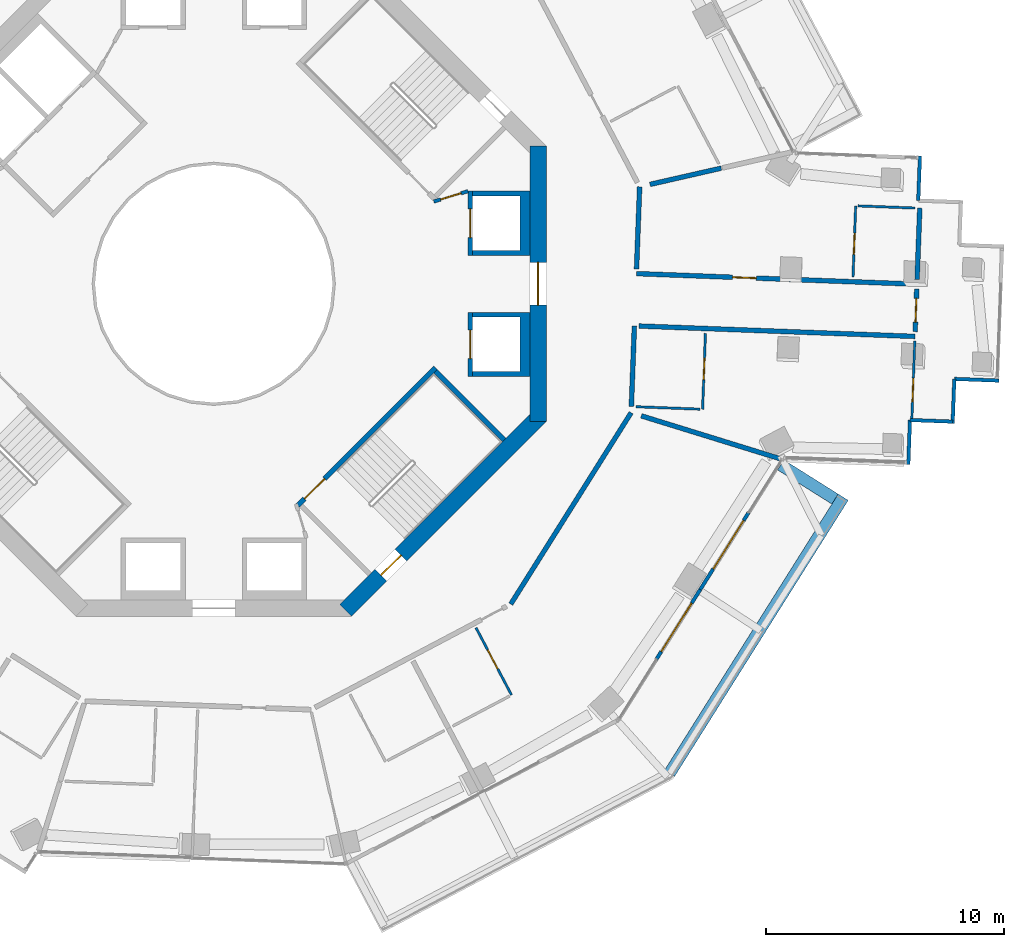
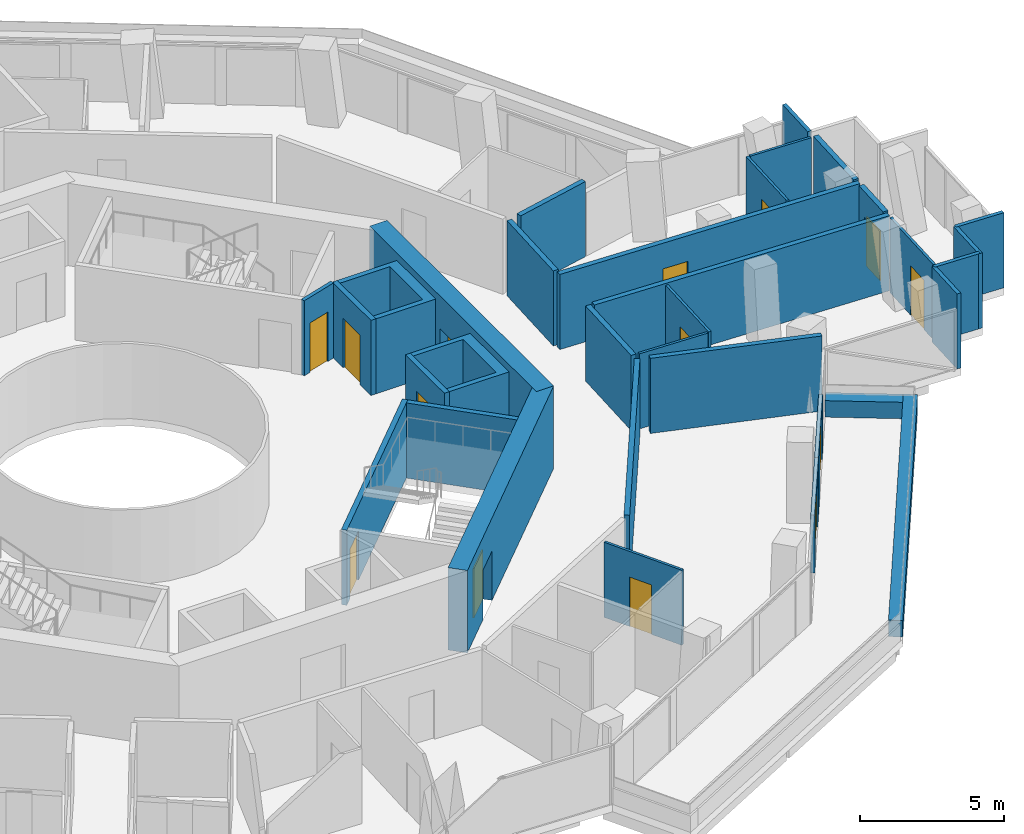
# One storey, part 17 of 23: 33 walls, 14 doors, 14 openings.
"""IFC4 building model written with IfcOpenShell, lengths in metres."""

from ifc_helpers import new_model, si_unit, direction, frame, frame_2d, origin, place, context, subcontext, project, spatial, polyline, rectangle, outline, extrude, material, layer, layer_set, type_object, element, fill, save


model = new_model("IFC4")

# Units and contexts
model_context = context("Model", 3, precision=1e-05, world=origin(), true_north=direction((0.0, 1.0)))
body_context = subcontext(model_context, "Body", "Model", "MODEL_VIEW")
ifc_project = project(units=[si_unit("LENGTHUNIT", "METRE"), si_unit("AREAUNIT", "SQUARE_METRE"), si_unit("VOLUMEUNIT", "CUBIC_METRE"), si_unit("PLANEANGLEUNIT", "RADIAN"), si_unit("MASSUNIT", "GRAM", prefix="KILO")], contexts=[model_context])

# Site, building, storey
site_placement = place(None, origin())
site = spatial("IfcSite", under=ifc_project, at=site_placement, CompositionType="ELEMENT")
building_placement = place(site_placement, origin())
building = spatial("IfcBuilding", under=site, at=building_placement, Name="Verdalira Terraces Hotel", CompositionType="ELEMENT")
storey_placement = place(building_placement, frame((0.0, 0.0, 147.0)))
storey = spatial("IfcBuildingStorey", under=building, at=storey_placement, Name="L35", CompositionType="ELEMENT", Elevation=147.0)

# Walls
ifc_material_1 = material(Name="Concrete C40", Category="concrete")
ifc_layer_1 = layer(ifc_material_1, 0.5)
ifc_layer_set_1 = layer_set([ifc_layer_1], Name="Balcony planter trough with tree")
wall_type_1 = type_object("IfcWallType", Name="Balcony planter trough with tree", PredefinedType="SOLIDWALL", material=ifc_layer_set_1)
wall_1_placement = place(storey_placement, frame((19.188721, -20.597656, 0.0), z_axis=(0.0, 0.0, 1.0), x_axis=(0.532283757, 0.846566005, 0.0)))
element("IfcWall", 1, at=wall_1_placement, inside=storey, type_object=wall_type_1, Name="Balcony planter", PredefinedType="SOLIDWALL", context=body_context, shape_type="SweptSolid", body=[
    extrude(rectangle(XDim=13.723389, YDim=0.5, at=frame_2d((6.861816, 0.0))), origin(), (0.0, 0.0, 1.0), 0.699951),
])
wall_2_placement = place(storey_placement, frame((26.148682, -9.058594, 0.0), z_axis=(0.0, 0.0, 1.0), x_axis=(-0.846546878, 0.532314177, 0.0)))
element("IfcWall", 2, at=wall_2_placement, inside=storey, type_object=wall_type_1, Name="Balcony planter", PredefinedType="SOLIDWALL", context=body_context, shape_type="SweptSolid", body=[
    extrude(rectangle(XDim=2.699219, YDim=0.5, at=frame_2d((1.349609, 0.0))), origin(), (0.0, 0.0, 1.0), 0.699951),
])

# Wall, opening, door
ifc_material_2 = material(Name="Moisture-resistant gypsum board partition")
ifc_layer_2 = layer(ifc_material_2, 0.10009765625)
ifc_layer_set_2 = layer_set([ifc_layer_2], Name="Bathroom partition 100 mm")
wall_type_2 = type_object("IfcWallType", Name="Bathroom partition 100 mm", PredefinedType="PARTITIONING", material=ifc_layer_set_2)
wall_3_placement = place(storey_placement, frame((12.533691, -17.30835, 0.0), z_axis=(0.0, 0.0, 1.0), x_axis=(-0.467000609, 0.884256994, 0.0)))
wall_3 = element("IfcWall", 3, at=wall_3_placement, inside=storey, type_object=wall_type_2, Name="Bathroom partition", PredefinedType="PARTITIONING", context=body_context, shape_type="SweptSolid", body=[
    extrude(rectangle(XDim=3.199951, YDim=0.100098, at=frame_2d((1.600098, 0.0))), origin(), (0.0, 0.0, 1.0), 3.189941),
])
opening_1_placement = place(wall_3_placement, frame((1.25, 0.0, 0.0)))
opening_1 = element("IfcOpeningElement", 4, at=opening_1_placement, cuts=wall_3, Name="Opening L35-121", PredefinedType="OPENING", context=body_context, shape_type="SweptSolid", body=[
    extrude(rectangle(XDim=0.899902, YDim=2.100098, at=frame_2d((0.449951, 1.050049))), frame((0.0, 0.060059, 0.0), z_axis=(0.0, -1.0, 0.0), x_axis=(1.0, 0.0, 0.0)), (0.0, 0.0, 1.0), 0.120117),
])
ifc_material_3 = material(Name="Timber door", Category="wood")
door_type_1 = type_object("IfcDoorType", Name="Bathroom door 900 x 2100", OperationType="NOTDEFINED", PredefinedType="DOOR", material=ifc_material_3)
door_1_placement = place(opening_1_placement, origin())
door_1 = element("IfcDoor", 5, at=door_1_placement, inside=storey, type_object=door_type_1, Name="Bathroom door 3507", OperationType="SINGLE_SWING_LEFT", OverallHeight=2.10009765625, OverallWidth=0.89990234375, PredefinedType="DOOR", context=body_context, shape_type="SweptSolid", body=[
    extrude(rectangle(XDim=0.899902, YDim=2.100098, at=frame_2d((0.449951, 1.050049))), frame((0.0, 0.024902, 0.0), z_axis=(0.0, -1.0, 0.0), x_axis=(1.0, 0.0, 0.0)), (0.0, 0.0, 1.0), 0.050049),
])
fill(opening_1, door_1)

# Wall
wall_4_placement = place(storey_placement, frame((17.775879, -5.173584, 0.0), z_axis=(0.0, 0.0, 1.0), x_axis=(0.999288955, -0.037703899, 0.0)))
element("IfcWall", 6, at=wall_4_placement, inside=storey, type_object=wall_type_2, Name="Bathroom partition", PredefinedType="PARTITIONING", context=body_context, shape_type="SweptSolid", body=[
    extrude(rectangle(XDim=2.700195, YDim=0.100098, at=frame_2d((1.350098, 0.0))), origin(), (0.0, 0.0, 1.0), 3.189941),
])

# Wall, opening, door
wall_5_placement = place(storey_placement, frame((20.573975, -5.279297, 0.0), z_axis=(0.0, 0.0, 1.0), x_axis=(0.037688886, 0.999289522, 0.0)))
wall_5 = element("IfcWall", 7, at=wall_5_placement, inside=storey, type_object=wall_type_2, Name="Bathroom partition", PredefinedType="PARTITIONING", context=body_context, shape_type="SweptSolid", body=[
    extrude(rectangle(XDim=3.199951, YDim=0.100098, at=frame_2d((1.600098, 0.0))), origin(), (0.0, 0.0, 1.0), 3.189941),
])
opening_2_placement = place(wall_5_placement, frame((1.25, 0.0, 0.0)))
opening_2 = element("IfcOpeningElement", 8, at=opening_2_placement, cuts=wall_5, Name="Opening L35-124", PredefinedType="OPENING", context=body_context, shape_type="SweptSolid", body=[
    extrude(rectangle(XDim=0.899902, YDim=2.100098, at=frame_2d((0.449951, 1.050049))), frame((0.0, 0.060059, 0.0), z_axis=(0.0, -1.0, 0.0), x_axis=(1.0, 0.0, 0.0)), (0.0, 0.0, 1.0), 0.120117),
])
door_2_placement = place(opening_2_placement, origin())
door_2 = element("IfcDoor", 9, at=door_2_placement, inside=storey, type_object=door_type_1, Name="Bathroom door 3508", OperationType="SINGLE_SWING_LEFT", OverallHeight=2.10009765625, OverallWidth=0.89990234375, PredefinedType="DOOR", context=body_context, shape_type="SweptSolid", body=[
    extrude(rectangle(XDim=0.899902, YDim=2.100098, at=frame_2d((0.449951, 1.050049))), frame((0.0, 0.024902, 0.0), z_axis=(0.0, -1.0, 0.0), x_axis=(1.0, 0.0, 0.0)), (0.0, 0.0, 1.0), 0.050049),
])
fill(opening_2, door_2)

wall_6_placement = place(storey_placement, frame((27.018555, 3.283936, 0.0), z_axis=(0.0, 0.0, 1.0), x_axis=(-0.037679877, -0.999289861, 0.0)))
wall_6 = element("IfcWall", 10, at=wall_6_placement, inside=storey, type_object=wall_type_2, Name="Bathroom partition", PredefinedType="PARTITIONING", context=body_context, shape_type="SweptSolid", body=[
    extrude(rectangle(XDim=3.0, YDim=0.100098, at=frame_2d((1.5, 0.0))), origin(), (0.0, 0.0, 1.0), 3.189941),
])
opening_3_placement = place(wall_6_placement, frame((1.149902, 0.0, 0.0)))
opening_3 = element("IfcOpeningElement", 11, at=opening_3_placement, cuts=wall_6, Name="Opening L35-126", PredefinedType="OPENING", context=body_context, shape_type="SweptSolid", body=[
    extrude(rectangle(XDim=0.899902, YDim=2.100098, at=frame_2d((0.449951, 1.050049))), frame((0.0, 0.060059, 0.0), z_axis=(0.0, -1.0, 0.0), x_axis=(1.0, 0.0, 0.0)), (0.0, 0.0, 1.0), 0.120117),
])
door_3_placement = place(opening_3_placement, origin())
door_3 = element("IfcDoor", 12, at=door_3_placement, inside=storey, type_object=door_type_1, Name="Bathroom door 3509", OperationType="SINGLE_SWING_LEFT", OverallHeight=2.10009765625, OverallWidth=0.89990234375, PredefinedType="DOOR", context=body_context, shape_type="SweptSolid", body=[
    extrude(rectangle(XDim=0.899902, YDim=2.100098, at=frame_2d((0.449951, 1.050049))), frame((0.0, 0.024902, 0.0), z_axis=(0.0, -1.0, 0.0), x_axis=(1.0, 0.0, 0.0)), (0.0, 0.0, 1.0), 0.050049),
])
fill(opening_3, door_3)

# Wall
wall_7_placement = place(storey_placement, frame((27.118408, 3.280273, 0.0), z_axis=(0.0, 0.0, 1.0), x_axis=(0.999287532, -0.037741594, 0.0)))
element("IfcWall", 13, at=wall_7_placement, inside=storey, type_object=wall_type_2, Name="Bathroom partition", PredefinedType="PARTITIONING", context=body_context, shape_type="SweptSolid", body=[
    extrude(rectangle(XDim=2.399902, YDim=0.100098, at=frame_2d((1.199951, 0.0))), origin(), (0.0, 0.0, 1.0), 3.189941),
])

# Wall, opening, door
wall_8_placement = place(storey_placement, frame((29.382812, -5.663574, 0.0), z_axis=(0.0, 0.0, 1.0), x_axis=(0.037761344, 0.999286786, 0.0)))
wall_8 = element("IfcWall", 14, at=wall_8_placement, inside=storey, type_object=wall_type_2, Name="Bathroom partition", PredefinedType="PARTITIONING", context=body_context, shape_type="SweptSolid", body=[
    extrude(rectangle(XDim=3.252197, YDim=0.100098, at=frame_2d((1.625977, 0.0))), origin(), (0.0, 0.0, 1.0), 3.189941),
])
opening_4_placement = place(wall_8_placement, frame((0.699951, 0.0, 0.0)))
opening_4 = element("IfcOpeningElement", 15, at=opening_4_placement, cuts=wall_8, Name="Opening L35-123", PredefinedType="OPENING", context=body_context, shape_type="SweptSolid", body=[
    extrude(rectangle(XDim=1.0, YDim=2.100098, at=frame_2d((0.5, 1.050049))), frame((0.0, 0.060059, 0.0), z_axis=(0.0, -1.0, 0.0), x_axis=(1.0, 0.0, 0.0)), (0.0, 0.0, 1.0), 0.120117),
])
ifc_material_4 = material(Name="Timber door", Category="wood")
door_type_2 = type_object("IfcDoorType", Name="Suite internal door 1000 x 2100", OperationType="NOTDEFINED", PredefinedType="DOOR", material=ifc_material_4)
door_4_placement = place(opening_4_placement, origin())
door_4 = element("IfcDoor", 16, at=door_4_placement, inside=storey, type_object=door_type_2, Name="Suite internal door 3508", OperationType="SINGLE_SWING_LEFT", OverallHeight=2.10009765625, OverallWidth=1.0, PredefinedType="DOOR", context=body_context, shape_type="SweptSolid", body=[
    extrude(rectangle(XDim=1.0, YDim=2.100098, at=frame_2d((0.5, 1.050049))), frame((0.0, 0.024902, 0.0), z_axis=(0.0, -1.0, 0.0), x_axis=(1.0, 0.0, 0.0)), (0.0, 0.0, 1.0), 0.050049),
])
fill(opening_4, door_4)

# Wall
ifc_material_5 = material(Name="Concrete C50", Category="concrete")
ifc_layer_3 = layer(ifc_material_5, 0.199951171875)
ifc_layer_set_3 = layer_set([ifc_layer_3], Name="Core RC wall 200 C50")
wall_type_3 = type_object("IfcWallType", Name="Core RC wall 200 C50", PredefinedType="SOLIDWALL", material=ifc_layer_set_3)
wall_9_placement = place(storey_placement, origin())
element("IfcWall", 17, at=wall_9_placement, inside=storey, type_object=wall_type_3, Name="L35 shaft wall E1", PredefinedType="SOLIDWALL", context=body_context, shape_type="SweptSolid", body=[
    extrude(outline(polyline([(13.300049, -3.899902), (10.899902, -3.899902), (10.899902, -3.699951), (12.899902, -3.699951), (12.899902, -1.399902), (10.899902, -1.399902), (10.899902, -1.199951), (13.300049, -1.199951), (13.300049, -3.899902)])), origin(), (0.0, 0.0, 1.0), 3.189941),
])

# Wall, opening, door
wall_10_placement = place(storey_placement, frame((10.800049, -1.199951, 0.0), z_axis=(0.0, 0.0, 1.0), x_axis=(0.0, -1.0, 0.0)))
wall_10 = element("IfcWall", 18, at=wall_10_placement, inside=storey, type_object=wall_type_3, Name="L35 shaft front wall E1", PredefinedType="SOLIDWALL", context=body_context, shape_type="SweptSolid", body=[
    extrude(rectangle(XDim=2.699951, YDim=0.199951, at=frame_2d((1.350098, 0.0))), origin(), (0.0, 0.0, 1.0), 3.189941),
])
opening_5_placement = place(wall_10_placement, frame((0.75, 0.0, 0.0)))
opening_5 = element("IfcOpeningElement", 19, at=opening_5_placement, cuts=wall_10, Name="Opening LD-L35-801", PredefinedType="OPENING", context=body_context, shape_type="SweptSolid", body=[
    extrude(rectangle(XDim=1.199951, YDim=2.100098, at=frame_2d((0.600098, 1.050049))), frame((0.0, 0.109863, 0.0), z_axis=(0.0, -1.0, 0.0), x_axis=(1.0, 0.0, 0.0)), (0.0, 0.0, 1.0), 0.219971),
])
ifc_material_6 = material(Name="Stainless steel", Category="steel")
door_type_3 = type_object("IfcDoorType", Name="Landing door 1200 x 2100", OperationType="NOTDEFINED", PredefinedType="DOOR", material=ifc_material_6)
door_5_placement = place(opening_5_placement, origin())
door_5 = element("IfcDoor", 20, at=door_5_placement, inside=storey, type_object=door_type_3, Name="Lift landing door LR1 L35", OperationType="DOUBLE_DOOR_SLIDING", OverallHeight=2.10009765625, OverallWidth=1.199951171875, PredefinedType="DOOR", context=body_context, shape_type="SweptSolid", body=[
    extrude(rectangle(XDim=1.199951, YDim=2.100098, at=frame_2d((0.600098, 1.050049))), frame((0.0, 0.024902, 0.0), z_axis=(0.0, -1.0, 0.0), x_axis=(1.0, 0.0, 0.0)), (0.0, 0.0, 1.0), 0.050049),
])
fill(opening_5, door_5)

# Wall
wall_11_placement = place(storey_placement, origin())
element("IfcWall", 21, at=wall_11_placement, inside=storey, type_object=wall_type_3, Name="L35 shaft wall E2", PredefinedType="SOLIDWALL", context=body_context, shape_type="SweptSolid", body=[
    extrude(outline(polyline([(13.300049, 3.899902), (13.300049, 1.199951), (10.899902, 1.199951), (10.899902, 1.399902), (12.899902, 1.399902), (12.899902, 3.699951), (10.899902, 3.699951), (10.899902, 3.899902), (13.300049, 3.899902)])), origin(), (0.0, 0.0, 1.0), 3.189941),
])

# Wall, opening, door
wall_12_placement = place(storey_placement, frame((10.800049, 1.199951, 0.0), z_axis=(0.0, 0.0, 1.0), x_axis=(0.0, 1.0, 0.0)))
wall_12 = element("IfcWall", 22, at=wall_12_placement, inside=storey, type_object=wall_type_3, Name="L35 shaft front wall E2", PredefinedType="SOLIDWALL", context=body_context, shape_type="SweptSolid", body=[
    extrude(rectangle(XDim=2.699951, YDim=0.199951, at=frame_2d((1.350098, 0.0))), origin(), (0.0, 0.0, 1.0), 3.189941),
])
opening_6_placement = place(wall_12_placement, frame((0.75, 0.0, 0.0)))
opening_6 = element("IfcOpeningElement", 23, at=opening_6_placement, cuts=wall_12, Name="Opening LD-L35-802", PredefinedType="OPENING", context=body_context, shape_type="SweptSolid", body=[
    extrude(rectangle(XDim=1.199951, YDim=2.100098, at=frame_2d((0.600098, 1.050049))), frame((0.0, 0.109863, 0.0), z_axis=(0.0, -1.0, 0.0), x_axis=(1.0, 0.0, 0.0)), (0.0, 0.0, 1.0), 0.219971),
])
door_6_placement = place(opening_6_placement, origin())
door_6 = element("IfcDoor", 24, at=door_6_placement, inside=storey, type_object=door_type_3, Name="Lift landing door LR2 L35", OperationType="DOUBLE_DOOR_SLIDING", OverallHeight=2.10009765625, OverallWidth=1.199951171875, PredefinedType="DOOR", context=body_context, shape_type="SweptSolid", body=[
    extrude(rectangle(XDim=1.199951, YDim=2.100098, at=frame_2d((0.600098, 1.050049))), frame((0.0, 0.024902, 0.0), z_axis=(0.0, -1.0, 0.0), x_axis=(1.0, 0.0, 0.0)), (0.0, 0.0, 1.0), 0.050049),
])
fill(opening_6, door_6)

wall_13_placement = place(storey_placement, frame((9.33374, -3.5354, 0.0), z_axis=(0.0, 0.0, 1.0), x_axis=(-0.707106781, -0.707106781, 0.0)))
wall_13 = element("IfcWall", 25, at=wall_13_placement, inside=storey, type_object=wall_type_3, Name="L35 stair ST3 front wall", PredefinedType="SOLIDWALL", context=body_context, shape_type="SweptSolid", body=[
    extrude(rectangle(XDim=8.200195, YDim=0.199951, at=frame_2d((4.100098, 0.0))), origin(), (0.0, 0.0, 1.0), 3.189941),
])
opening_7_placement = place(wall_13_placement, frame((6.600098, 0.0, 0.0)))
opening_7 = element("IfcOpeningElement", 26, at=opening_7_placement, cuts=wall_13, Name="Opening L35-811", PredefinedType="OPENING", context=body_context, shape_type="SweptSolid", body=[
    extrude(rectangle(XDim=1.199951, YDim=2.100098, at=frame_2d((0.600098, 1.050049))), frame((0.0, 0.109863, 0.0), z_axis=(0.0, -1.0, 0.0), x_axis=(1.0, 0.0, 0.0)), (0.0, 0.0, 1.0), 0.219971),
])
ifc_material_7 = material(Name="Steel fire door", Category="steel")
door_type_4 = type_object("IfcDoorType", Name="Stair door 1200 x 2100", OperationType="NOTDEFINED", PredefinedType="DOOR", material=ifc_material_7)
door_7_placement = place(opening_7_placement, origin())
door_7 = element("IfcDoor", 27, at=door_7_placement, inside=storey, type_object=door_type_4, Name="Stair door ST3 L35", OperationType="SINGLE_SWING_RIGHT", OverallHeight=2.10009765625, OverallWidth=1.199951171875, PredefinedType="DOOR", context=body_context, shape_type="SweptSolid", body=[
    extrude(rectangle(XDim=1.199951, YDim=2.100098, at=frame_2d((0.600098, 1.050049))), frame((0.0, 0.024902, 0.0), z_axis=(0.0, -1.0, 0.0), x_axis=(1.0, 0.0, 0.0)), (0.0, 0.0, 1.0), 0.050049),
])
fill(opening_7, door_7)

# Wall
wall_14_placement = place(storey_placement, frame((9.33374, -3.677002, 0.0), z_axis=(0.0, 0.0, 1.0), x_axis=(0.707106781, -0.707106781, 0.0)))
element("IfcWall", 28, at=wall_14_placement, inside=storey, type_object=wall_type_3, Name="L35 stair ST3 end wall 2", PredefinedType="SOLIDWALL", context=body_context, shape_type="SweptSolid", body=[
    extrude(rectangle(XDim=4.100098, YDim=0.199951, at=frame_2d((2.050049, 0.0))), origin(), (0.0, 0.0, 1.0), 3.189941),
])

# Wall, opening, door
ifc_material_8 = material(Name="Gypsum board partition")
ifc_layer_4 = layer(ifc_material_8, 0.14990234375)
ifc_layer_set_4 = layer_set([ifc_layer_4], Name="Core partition 150 mm")
wall_type_4 = type_object("IfcWallType", Name="Core partition 150 mm", PredefinedType="PARTITIONING", material=ifc_layer_set_4)
wall_15_placement = place(storey_placement, frame((10.699951, 3.899902, 0.0), z_axis=(0.0, 0.0, 1.0), x_axis=(-0.957084567, -0.289808785, 0.0)))
wall_15 = element("IfcWall", 29, at=wall_15_placement, inside=storey, type_object=wall_type_4, Name="Room partition L35", PredefinedType="PARTITIONING", context=body_context, shape_type="SweptSolid", body=[
    extrude(rectangle(XDim=1.501221, YDim=0.149902, at=frame_2d((0.750488, 0.0))), origin(), (0.0, 0.0, 1.0), 3.189941),
])
opening_8_placement = place(wall_15_placement, frame((0.300781, 0.0, 0.0)))
opening_8 = element("IfcOpeningElement", 30, at=opening_8_placement, cuts=wall_15, Name="Opening L35-820", PredefinedType="OPENING", context=body_context, shape_type="SweptSolid", body=[
    extrude(rectangle(XDim=0.899902, YDim=2.100098, at=frame_2d((0.449951, 1.050049))), frame((0.0, 0.084961, 0.0), z_axis=(0.0, -1.0, 0.0), x_axis=(1.0, 0.0, 0.0)), (0.0, 0.0, 1.0), 0.169922),
])
ifc_material_9 = material(Name="Steel fire door", Category="steel")
door_type_5 = type_object("IfcDoorType", Name="Core room door 900 x 2100", OperationType="NOTDEFINED", PredefinedType="DOOR", material=ifc_material_9)
door_8_placement = place(opening_8_placement, origin())
door_8 = element("IfcDoor", 31, at=door_8_placement, inside=storey, type_object=door_type_5, Name="Door L35 room0", OperationType="SINGLE_SWING_LEFT", OverallHeight=2.10009765625, OverallWidth=0.89990234375, PredefinedType="DOOR", context=body_context, shape_type="SweptSolid", body=[
    extrude(rectangle(XDim=0.899902, YDim=2.100098, at=frame_2d((0.449951, 1.050049))), frame((0.0, 0.024902, 0.0), z_axis=(0.0, -1.0, 0.0), x_axis=(1.0, 0.0, 0.0)), (0.0, 0.0, 1.0), 0.050049),
])
fill(opening_8, door_8)

ifc_material_10 = material(Name="Concrete C60", Category="concrete")
ifc_layer_5 = layer(ifc_material_10, 0.699951171875)
ifc_layer_set_5 = layer_set([ifc_layer_5], Name="Core wall 700 C60")
wall_type_5 = type_object("IfcWallType", Name="Core wall 700 C60", PredefinedType="SHEAR", material=ifc_layer_set_5)
wall_16_placement = place(storey_placement, frame((13.649902, -5.799072, 0.0), z_axis=(0.0, 0.0, 1.0), x_axis=(0.0, 1.0, 0.0)))
wall_16 = element("IfcWall", 32, at=wall_16_placement, inside=storey, type_object=wall_type_5, Name="Core wall CW-L35-1", PredefinedType="SHEAR", context=body_context, shape_type="SweptSolid", body=[
    extrude(rectangle(XDim=11.598145, YDim=0.699951, at=frame_2d((5.799072, 0.0))), origin(), (0.0, 0.0, 1.0), 3.5),
])
opening_9_placement = place(wall_16_placement, frame((4.898926, 0.0, 0.0)))
opening_9 = element("IfcOpeningElement", 33, at=opening_9_placement, cuts=wall_16, Name="Opening L35-812", PredefinedType="OPENING", context=body_context, shape_type="SweptSolid", body=[
    extrude(rectangle(XDim=1.800049, YDim=2.100098, at=frame_2d((0.899902, 1.050049))), frame((0.0, 0.359863, 0.0), z_axis=(0.0, -1.0, 0.0), x_axis=(1.0, 0.0, 0.0)), (0.0, 0.0, 1.0), 0.719971),
])
ifc_material_11 = material(Name="Steel fire door", Category="steel")
door_type_6 = type_object("IfcDoorType", Name="Core entry door pair 1800 x 2100", OperationType="NOTDEFINED", PredefinedType="DOOR", material=ifc_material_11)
door_9_placement = place(opening_9_placement, origin())
door_9 = element("IfcDoor", 34, at=door_9_placement, inside=storey, type_object=door_type_6, Name="Core entry door L35 0", OperationType="DOUBLE_DOOR_SINGLE_SWING", OverallHeight=2.10009765625, OverallWidth=1.800048828125, PredefinedType="DOOR", context=body_context, shape_type="SweptSolid", body=[
    extrude(rectangle(XDim=1.800049, YDim=2.100098, at=frame_2d((0.899902, 1.050049))), frame((0.0, 0.024902, 0.0), z_axis=(0.0, -1.0, 0.0), x_axis=(1.0, 0.0, 0.0)), (0.0, 0.0, 1.0), 0.050049),
])
fill(opening_9, door_9)

wall_17_placement = place(storey_placement, frame((5.551514, -13.752441, 0.0), z_axis=(0.0, 0.0, 1.0), x_axis=(0.707106781, 0.707106781, 0.0)))
wall_17 = element("IfcWall", 35, at=wall_17_placement, inside=storey, type_object=wall_type_5, Name="Core wall CW-L35-8", PredefinedType="SHEAR", context=body_context, shape_type="SweptSolid", body=[
    extrude(rectangle(XDim=11.5979, YDim=0.699951, at=frame_2d((5.798828, 0.0))), origin(), (0.0, 0.0, 1.0), 3.5),
])
opening_10_placement = place(wall_17_placement, frame((2.099121, 0.0, 0.0)))
opening_10 = element("IfcOpeningElement", 36, at=opening_10_placement, cuts=wall_17, Name="Opening L35-818", PredefinedType="OPENING", context=body_context, shape_type="SweptSolid", body=[
    extrude(rectangle(XDim=1.199951, YDim=2.100098, at=frame_2d((0.600098, 1.050049))), frame((0.0, 0.359863, 0.0), z_axis=(0.0, -1.0, 0.0), x_axis=(1.0, 0.0, 0.0)), (0.0, 0.0, 1.0), 0.719971),
])
door_10_placement = place(opening_10_placement, origin())
door_10 = element("IfcDoor", 37, at=door_10_placement, inside=storey, type_object=door_type_4, Name="Stair exit door ST3 L35", OperationType="SINGLE_SWING_LEFT", OverallHeight=2.10009765625, OverallWidth=1.199951171875, PredefinedType="DOOR", context=body_context, shape_type="SweptSolid", body=[
    extrude(rectangle(XDim=1.199951, YDim=2.100098, at=frame_2d((0.600098, 1.050049))), frame((0.0, 0.024902, 0.0), z_axis=(0.0, -1.0, 0.0), x_axis=(1.0, 0.0, 0.0)), (0.0, 0.0, 1.0), 0.050049),
])
fill(opening_10, door_10)

# Walls
ifc_material_12 = material(Name="Fire-rated gypsum board wall")
ifc_layer_6 = layer(ifc_material_12, 0.199951171875)
ifc_layer_set_6 = layer_set([ifc_layer_6], Name="Demising wall 200 mm")
wall_type_6 = type_object("IfcWallType", Name="Demising wall 200 mm", PredefinedType="SOLIDWALL", material=ifc_layer_set_6)
wall_18_placement = place(storey_placement, frame((18.361084, 4.185059, 0.0), z_axis=(0.0, 0.0, 1.0), x_axis=(0.974989915, 0.222249106, 0.0)))
element("IfcWall", 38, at=wall_18_placement, inside=storey, type_object=wall_type_6, Name="Demising wall", PredefinedType="SOLIDWALL", context=body_context, shape_type="SweptSolid", body=[
    extrude(rectangle(XDim=3.074707, YDim=0.199951, at=frame_2d((1.537354, 0.0))), origin(), (0.0, 0.0, 1.0), 3.189941),
])
wall_19_placement = place(storey_placement, frame((17.993652, -5.556152, 0.0), z_axis=(0.0, 0.0, 1.0), x_axis=(0.955479808, -0.295056496, 0.0)))
element("IfcWall", 39, at=wall_19_placement, inside=storey, type_object=wall_type_6, Name="Demising wall", PredefinedType="SOLIDWALL", context=body_context, shape_type="SweptSolid", body=[
    extrude(rectangle(XDim=6.13208, YDim=0.199951, at=frame_2d((3.065918, 0.0))), origin(), (0.0, 0.0, 1.0), 3.189941),
])
wall_20_placement = place(storey_placement, frame((29.603516, 0.182373, 0.0), z_axis=(0.0, 0.0, 1.0), x_axis=(0.037630912, 0.999291706, 0.0)))
element("IfcWall", 40, at=wall_20_placement, inside=storey, type_object=wall_type_6, Name="Demising wall", PredefinedType="SOLIDWALL", context=body_context, shape_type="SweptSolid", body=[
    extrude(rectangle(XDim=3.003906, YDim=0.199951, at=frame_2d((1.501953, 0.0))), origin(), (0.0, 0.0, 1.0), 3.189941),
])
ifc_material_13 = material(Name="Fire-rated gypsum board wall")
ifc_layer_7 = layer(ifc_material_13, 0.199951171875)
ifc_layer_set_7 = layer_set([ifc_layer_7], Name="Guest corridor wall 200 mm")
wall_type_7 = type_object("IfcWallType", Name="Guest corridor wall 200 mm", PredefinedType="SOLIDWALL", material=ifc_layer_set_7)
wall_21_placement = place(storey_placement, frame((12.501221, -13.480225, 0.0), z_axis=(0.0, 0.0, 1.0), x_axis=(0.532282406, 0.846566855, 0.0)))
element("IfcWall", 41, at=wall_21_placement, inside=storey, type_object=wall_type_7, Name="Guest corridor wall", PredefinedType="SOLIDWALL", context=body_context, shape_type="SweptSolid", body=[
    extrude(rectangle(XDim=9.515869, YDim=0.199951, at=frame_2d((4.757812, 0.0))), origin(), (0.0, 0.0, 1.0), 3.189941),
])
wall_22_placement = place(storey_placement, frame((17.576172, -5.166016, 0.0), z_axis=(0.0, 0.0, 1.0), x_axis=(0.037699539, 0.99928912, 0.0)))
element("IfcWall", 42, at=wall_22_placement, inside=storey, type_object=wall_type_7, Name="Guest corridor wall", PredefinedType="SOLIDWALL", context=body_context, shape_type="SweptSolid", body=[
    extrude(rectangle(XDim=3.399902, YDim=0.199951, at=frame_2d((1.699951, 0.0))), origin(), (0.0, 0.0, 1.0), 3.189941),
])
wall_23_placement = place(storey_placement, frame((17.794678, 0.629883, 0.0), z_axis=(0.0, 0.0, 1.0), x_axis=(0.037698369, 0.999289164, 0.0)))
element("IfcWall", 43, at=wall_23_placement, inside=storey, type_object=wall_type_7, Name="Guest corridor wall", PredefinedType="SOLIDWALL", context=body_context, shape_type="SweptSolid", body=[
    extrude(rectangle(XDim=3.458252, YDim=0.199951, at=frame_2d((1.729004, 0.0))), origin(), (0.0, 0.0, 1.0), 3.189941),
])

# Wall, opening, door
wall_24_placement = place(storey_placement, frame((17.787109, 0.429932, 0.0), z_axis=(0.0, 0.0, 1.0), x_axis=(0.999289731, -0.037683319, 0.0)))
wall_24 = element("IfcWall", 44, at=wall_24_placement, inside=storey, type_object=wall_type_7, Name="Guest corridor wall", PredefinedType="SOLIDWALL", context=body_context, shape_type="SweptSolid", body=[
    extrude(rectangle(XDim=11.817139, YDim=0.199951, at=frame_2d((5.908691, 0.0))), origin(), (0.0, 0.0, 1.0), 3.189941),
])
opening_11_placement = place(wall_24_placement, frame((4.050049, 0.0, 0.0)))
opening_11 = element("IfcOpeningElement", 45, at=opening_11_placement, cuts=wall_24, Name="Opening L35-125", PredefinedType="OPENING", context=body_context, shape_type="SweptSolid", body=[
    extrude(rectangle(XDim=1.0, YDim=2.100098, at=frame_2d((0.5, 1.050049))), frame((0.0, 0.109863, 0.0), z_axis=(0.0, -1.0, 0.0), x_axis=(1.0, 0.0, 0.0)), (0.0, 0.0, 1.0), 0.219971),
])
ifc_material_14 = material(Name="Timber fire door", Category="wood")
door_type_7 = type_object("IfcDoorType", Name="Guest entry door 1000 x 2100", OperationType="NOTDEFINED", PredefinedType="DOOR", material=ifc_material_14)
door_11_placement = place(opening_11_placement, origin())
door_11 = element("IfcDoor", 46, at=door_11_placement, inside=storey, type_object=door_type_7, Name="Guest entry door 3509", OperationType="SINGLE_SWING_LEFT", OverallHeight=2.10009765625, OverallWidth=1.0, PredefinedType="DOOR", context=body_context, shape_type="SweptSolid", body=[
    extrude(rectangle(XDim=1.0, YDim=2.100098, at=frame_2d((0.5, 1.050049))), frame((0.0, 0.024902, 0.0), z_axis=(0.0, -1.0, 0.0), x_axis=(1.0, 0.0, 0.0)), (0.0, 0.0, 1.0), 0.050049),
])
fill(opening_11, door_11)

# Wall
wall_25_placement = place(storey_placement, frame((17.904053, -1.776123, 0.0), z_axis=(0.0, 0.0, 1.0), x_axis=(0.999289823, -0.037680897, 0.0)))
element("IfcWall", 47, at=wall_25_placement, inside=storey, type_object=wall_type_7, Name="Guest corridor wall", PredefinedType="SOLIDWALL", context=body_context, shape_type="SweptSolid", body=[
    extrude(rectangle(XDim=11.617188, YDim=0.199951, at=frame_2d((5.808594, 0.0))), origin(), (0.0, 0.0, 1.0), 3.189941),
])

# Wall, opening, door
wall_26_placement = place(storey_placement, frame((29.588379, -0.213379, 0.0), z_axis=(0.0, 0.0, 1.0), x_axis=(-0.037622316, -0.99929203, 0.0)))
wall_26 = element("IfcWall", 48, at=wall_26_placement, inside=storey, type_object=wall_type_7, Name="Guest corridor wall", PredefinedType="SOLIDWALL", context=body_context, shape_type="SweptSolid", body=[
    extrude(rectangle(XDim=1.803955, YDim=0.199951, at=frame_2d((0.901855, 0.0))), origin(), (0.0, 0.0, 1.0), 3.189941),
])
opening_12_placement = place(wall_26_placement, frame((0.399902, 0.0, 0.0)))
opening_12 = element("IfcOpeningElement", 49, at=opening_12_placement, cuts=wall_26, Name="Opening L35-122", PredefinedType="OPENING", context=body_context, shape_type="SweptSolid", body=[
    extrude(rectangle(XDim=1.0, YDim=2.100098, at=frame_2d((0.5, 1.050049))), frame((0.0, 0.109863, 0.0), z_axis=(0.0, -1.0, 0.0), x_axis=(1.0, 0.0, 0.0)), (0.0, 0.0, 1.0), 0.219971),
])
door_12_placement = place(opening_12_placement, origin())
door_12 = element("IfcDoor", 50, at=door_12_placement, inside=storey, type_object=door_type_7, Name="Guest entry door 3508", OperationType="SINGLE_SWING_LEFT", OverallHeight=2.10009765625, OverallWidth=1.0, PredefinedType="DOOR", context=body_context, shape_type="SweptSolid", body=[
    extrude(rectangle(XDim=1.0, YDim=2.100098, at=frame_2d((0.5, 1.050049))), frame((0.0, 0.024902, 0.0), z_axis=(0.0, -1.0, 0.0), x_axis=(1.0, 0.0, 0.0)), (0.0, 0.0, 1.0), 0.050049),
])
fill(opening_12, door_12)

# Walls
ifc_material_15 = material(Name="Terracotta cladding", Category="masonry")
ifc_layer_8 = layer(ifc_material_15, 0.14990234375)
ifc_layer_set_8 = layer_set([ifc_layer_8], Name="Terracotta clad wall 150")
wall_type_8 = type_object("IfcWallType", Name="Terracotta clad wall 150", PredefinedType="SOLIDWALL", material=ifc_layer_set_8)
wall_27_placement = place(storey_placement, frame((29.234619, -7.607178, 0.0), z_axis=(0.0, 0.0, 1.0), x_axis=(0.037632953, 0.99929163, 0.0)))
element("IfcWall", 51, at=wall_27_placement, inside=storey, type_object=wall_type_8, Name="Terracotta cladding wall", PredefinedType="SOLIDWALL", context=body_context, shape_type="SweptSolid", body=[
    extrude(rectangle(XDim=1.874756, YDim=0.149902, at=frame_2d((0.9375, 0.0))), origin(), (0.0, 0.0, 1.0), 3.189941),
])
wall_28_placement = place(storey_placement, frame((29.305176, -5.733643, 0.0), z_axis=(0.0, 0.0, 1.0), x_axis=(0.999288955, -0.037703899, 0.0)))
element("IfcWall", 52, at=wall_28_placement, inside=storey, type_object=wall_type_8, Name="Terracotta cladding wall", PredefinedType="SOLIDWALL", context=body_context, shape_type="SweptSolid", body=[
    extrude(rectangle(XDim=1.800049, YDim=0.149902, at=frame_2d((0.899902, 0.0))), origin(), (0.0, 0.0, 1.0), 3.189941),
])
wall_29_placement = place(storey_placement, frame((31.101074, -5.876465, 0.0), z_axis=(0.0, 0.0, 1.0), x_axis=(0.037758072, 0.99928691, 0.0)))
element("IfcWall", 53, at=wall_29_placement, inside=storey, type_object=wall_type_8, Name="Terracotta cladding wall", PredefinedType="SOLIDWALL", context=body_context, shape_type="SweptSolid", body=[
    extrude(rectangle(XDim=1.875, YDim=0.149902, at=frame_2d((0.9375, 0.0))), origin(), (0.0, 0.0, 1.0), 3.189941),
])
wall_30_placement = place(storey_placement, frame((31.171875, -4.002686, 0.0), z_axis=(0.0, 0.0, 1.0), x_axis=(0.999286724, -0.037762985, 0.0)))
element("IfcWall", 54, at=wall_30_placement, inside=storey, type_object=wall_type_8, Name="Terracotta cladding wall", PredefinedType="SOLIDWALL", context=body_context, shape_type="SweptSolid", body=[
    extrude(rectangle(XDim=1.874756, YDim=0.149902, at=frame_2d((0.9375, 0.0))), origin(), (0.0, 0.0, 1.0), 3.189941),
])
wall_31_placement = place(storey_placement, frame((29.653809, 3.509766, 0.0), z_axis=(0.0, 0.0, 1.0), x_axis=(0.037758072, 0.99928691, 0.0)))
element("IfcWall", 55, at=wall_31_placement, inside=storey, type_object=wall_type_8, Name="Terracotta cladding wall", PredefinedType="SOLIDWALL", context=body_context, shape_type="SweptSolid", body=[
    extrude(rectangle(XDim=1.875, YDim=0.149902, at=frame_2d((0.9375, 0.0))), origin(), (0.0, 0.0, 1.0), 3.189941),
])

# Wall, opening, door
ifc_material_16 = material(Name="Terracotta cladding", Category="masonry")
ifc_layer_9 = layer(ifc_material_16, 0.14990234375)
ifc_layer_set_9 = layer_set([ifc_layer_9], Name="Terracotta door pier 150")
wall_type_9 = type_object("IfcWallType", Name="Terracotta door pier 150", PredefinedType="SOLIDWALL", material=ifc_layer_set_9)
wall_32_placement = place(storey_placement, frame((18.623047, -15.814209, 0.0), z_axis=(0.0, 0.0, 1.0), x_axis=(0.532257872, 0.846582281, 0.0)))
wall_32 = element("IfcWall", 56, at=wall_32_placement, inside=storey, type_object=wall_type_9, Name="Terracotta door pier", PredefinedType="SOLIDWALL", context=body_context, shape_type="SweptSolid", body=[
    extrude(rectangle(XDim=3.475098, YDim=0.149902, at=frame_2d((1.737549, 0.0))), origin(), (0.0, 0.0, 1.0), 2.475098),
])
opening_13_placement = place(wall_32_placement, frame((0.399902, 0.0, 0.0)))
opening_13 = element("IfcOpeningElement", 57, at=opening_13_placement, cuts=wall_32, Name="Opening L35-B09", PredefinedType="OPENING", context=body_context, shape_type="SweptSolid", body=[
    extrude(rectangle(XDim=2.399902, YDim=2.399902, at=frame_2d((1.199951, 1.199951))), frame((0.0, 0.084961, 0.0), z_axis=(0.0, -1.0, 0.0), x_axis=(1.0, 0.0, 0.0)), (0.0, 0.0, 1.0), 0.169922),
])
ifc_material_17 = material(Name="Clear glass", Category="glass")
door_type_8 = type_object("IfcDoorType", Name="Balcony sliding door 2400x2400", OperationType="NOTDEFINED", PredefinedType="DOOR", material=ifc_material_17)
door_13_placement = place(opening_13_placement, origin())
door_13 = element("IfcDoor", 58, at=door_13_placement, inside=storey, type_object=door_type_8, Name="Balcony sliding door", OperationType="SLIDING_TO_RIGHT", OverallHeight=2.39990234375, OverallWidth=2.39990234375, PredefinedType="DOOR", context=body_context, shape_type="SweptSolid", body=[
    extrude(rectangle(XDim=2.399902, YDim=2.399902, at=frame_2d((1.199951, 1.199951))), frame((0.0, 0.024902, 0.0), z_axis=(0.0, -1.0, 0.0), x_axis=(1.0, 0.0, 0.0)), (0.0, 0.0, 1.0), 0.050049),
])
fill(opening_13, door_13)

wall_33_placement = place(storey_placement, frame((20.472656, -12.872314, 0.0), z_axis=(0.0, 0.0, 1.0), x_axis=(0.532337095, 0.846532467, 0.0)))
wall_33 = element("IfcWall", 59, at=wall_33_placement, inside=storey, type_object=wall_type_9, Name="Terracotta door pier", PredefinedType="SOLIDWALL", context=body_context, shape_type="SweptSolid", body=[
    extrude(rectangle(XDim=3.835449, YDim=0.149902, at=frame_2d((1.917725, 0.0))), origin(), (0.0, 0.0, 1.0), 2.475098),
])
opening_14_placement = place(wall_33_placement, frame((1.0354, 0.0, 0.0)))
opening_14 = element("IfcOpeningElement", 60, at=opening_14_placement, cuts=wall_33, Name="Opening L35-B10", PredefinedType="OPENING", context=body_context, shape_type="SweptSolid", body=[
    extrude(rectangle(XDim=2.399902, YDim=2.399902, at=frame_2d((1.199951, 1.199951))), frame((0.0, 0.084961, 0.0), z_axis=(0.0, -1.0, 0.0), x_axis=(1.0, 0.0, 0.0)), (0.0, 0.0, 1.0), 0.169922),
])
door_14_placement = place(opening_14_placement, origin())
door_14 = element("IfcDoor", 61, at=door_14_placement, inside=storey, type_object=door_type_8, Name="Balcony sliding door", OperationType="SLIDING_TO_LEFT", OverallHeight=2.39990234375, OverallWidth=2.39990234375, PredefinedType="DOOR", context=body_context, shape_type="SweptSolid", body=[
    extrude(rectangle(XDim=2.399902, YDim=2.399902, at=frame_2d((1.199951, 1.199951))), frame((0.0, 0.024902, 0.0), z_axis=(0.0, -1.0, 0.0), x_axis=(1.0, 0.0, 0.0)), (0.0, 0.0, 1.0), 0.050049),
])
fill(opening_14, door_14)

save(model, "model.ifc")
